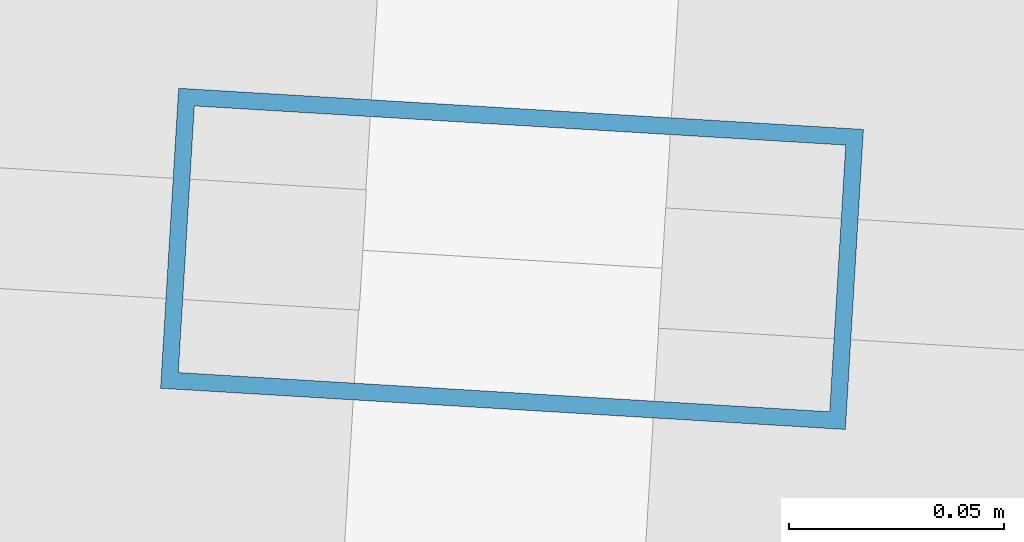
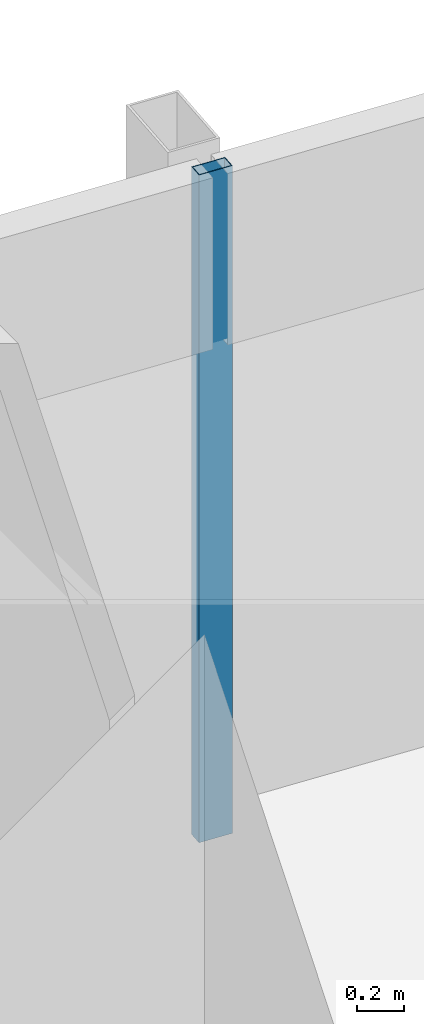
# One storey, part 19 of 40: 1 member, 1 element without a shape of its own.
"""IFC4 building model written with IfcOpenShell, lengths in metres."""

from ifc_helpers import new_model, si_unit, direction, frame, origin, origin_2d, place, context, subcontext, project, spatial, hollow_rectangle, extrude, material, material_profile, profile_set, type_object, element, aggregate, save


model = new_model("IFC4")

# Units and contexts
model_context = context("Model", 3, precision=1e-05, world=origin(), true_north=direction((0.0, 1.0)))
body_context = subcontext(model_context, "Body", "Model", "MODEL_VIEW")
ifc_project = project(units=[si_unit("LENGTHUNIT", "METRE"), si_unit("AREAUNIT", "SQUARE_METRE"), si_unit("VOLUMEUNIT", "CUBIC_METRE"), si_unit("PLANEANGLEUNIT", "RADIAN"), si_unit("MASSUNIT", "GRAM", prefix="KILO")], contexts=[model_context])

# Site, building, storey
site_placement = place(None, origin())
site = spatial("IfcSite", under=ifc_project, at=site_placement, CompositionType="ELEMENT")
building_placement = place(site_placement, origin())
building = spatial("IfcBuilding", under=site, at=building_placement, Name="Rekha Terrace Tower", CompositionType="ELEMENT")
storey_placement = place(building_placement, frame((0.0, 0.0, 129.050048828125)))
storey = spatial("IfcBuildingStorey", under=building, at=storey_placement, Name="L32", CompositionType="ELEMENT", Elevation=129.050048828125)

# Curtain wall, member
ifc_material_1 = material(Name="Aluminium framing", Category="aluminium")
curtain_wall_type = type_object("IfcCurtainWallType", Name="CW3 north unitised glazing", PredefinedType="USERDEFINED", material=ifc_material_1)
curtain_wall_placement = place(storey_placement, origin())
curtain_wall = element("IfcCurtainWall", 1, at=curtain_wall_placement, inside=storey, type_object=curtain_wall_type, Name="CW3 unitised curtain wall", ObjectType="UNITISED CURTAIN WALL", PredefinedType="USERDEFINED")
ifc_material_2 = material(Name="Aluminium mullion section", Category="aluminium")
ifc_material_profile = material_profile(ifc_material_2, hollow_rectangle(XDim=0.070068359375, YDim=0.159912109375, WallThickness=0.00390625, at=origin_2d()), Name="AL RHS 70x160")
ifc_profile_set = profile_set([ifc_material_profile], Name="Aluminium mullion section")
member_type = type_object("IfcMemberType", Name="CW3 mullion RHS 70 x 160", PredefinedType="MULLION", material=ifc_profile_set)
member_placement = place(storey_placement, frame((52.299560546875, 61.4033203125, 0.0), z_axis=(0.0, 0.0, 1.0), x_axis=(-0.059987926837, -0.998199102701, 0.0)))
member = element("IfcMember", 2, at=member_placement, type_object=member_type, Name="CW3 mullion 3", PredefinedType="MULLION", context=body_context, shape_type="SweptSolid", body=[
    extrude(hollow_rectangle(XDim=0.070068359375, YDim=0.159912109375, WallThickness=0.00390625, at=origin_2d()), origin(), (0.0, 0.0, 1.0), 3.5),
])
aggregate(curtain_wall, [member])

save(model, "model.ifc")
